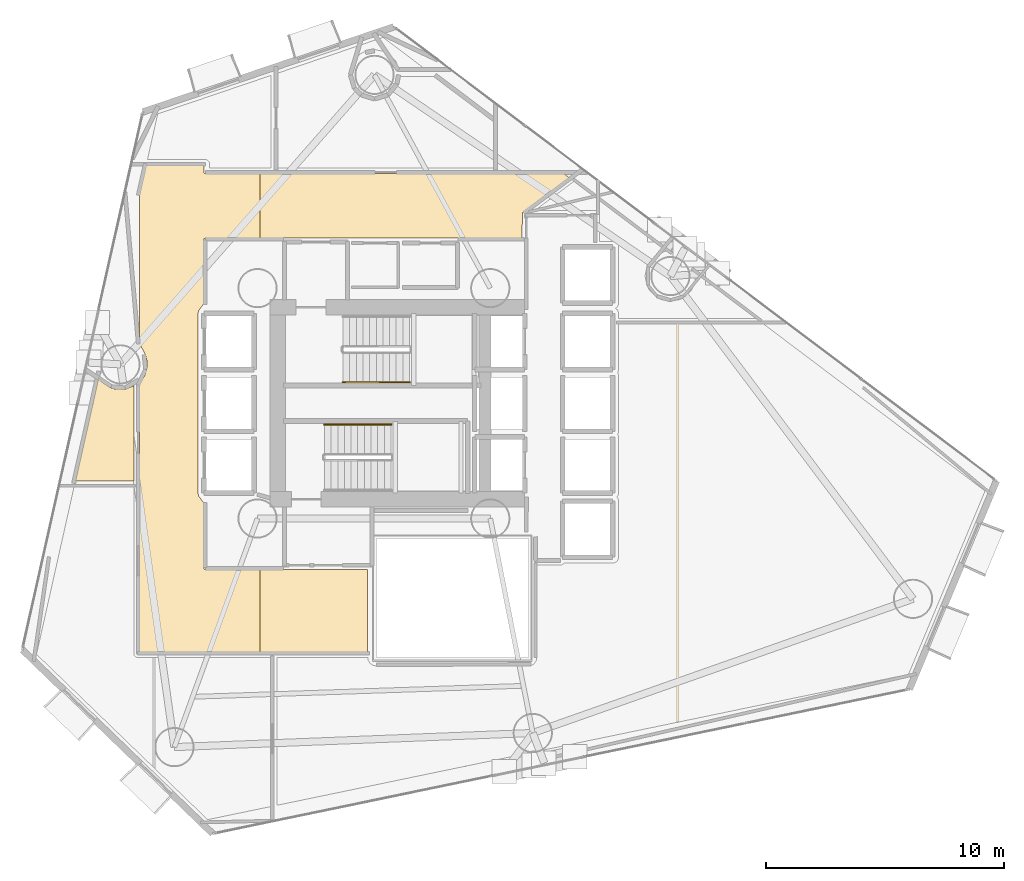
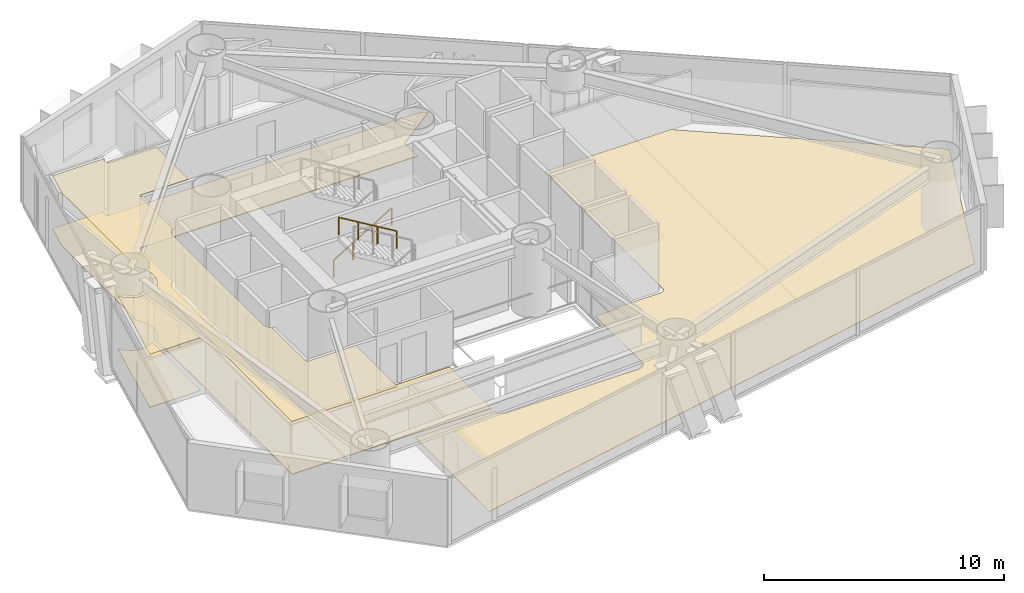
# One storey, part 20 of 22: 5 coverings, 2 railings.
"""IFC4 building model written with IfcOpenShell, lengths in metres."""

from ifc_helpers import new_model, si_unit, direction, frame, origin, origin_2d, place, context, subcontext, project, spatial, polyline, rectangle, outline, extrude, material, layer, layer_set, type_object, element, save


model = new_model("IFC4")

# Units and contexts
model_context = context("Model", 3, precision=1e-05, world=origin(), true_north=direction((0.0, 1.0)))
body_context = subcontext(model_context, "Body", "Model", "MODEL_VIEW")
ifc_project = project(units=[si_unit("LENGTHUNIT", "METRE"), si_unit("AREAUNIT", "SQUARE_METRE"), si_unit("VOLUMEUNIT", "CUBIC_METRE"), si_unit("PLANEANGLEUNIT", "RADIAN"), si_unit("MASSUNIT", "GRAM", prefix="KILO")], contexts=[model_context])

# Site, building, storey
site_placement = place(None, origin())
site = spatial("IfcSite", under=ifc_project, at=site_placement, CompositionType="ELEMENT")
building_placement = place(site_placement, origin())
building = spatial("IfcBuilding", under=site, at=building_placement, Name="Qianvela Tower", CompositionType="ELEMENT")
storey_placement = place(building_placement, frame((0.0, 0.0, 89.5)))
storey = spatial("IfcBuildingStorey", under=building, at=storey_placement, Name="L22", CompositionType="ELEMENT", Elevation=89.5)

# Coverings
ifc_material_1 = material(Name="Perforated Mineral Acoustic Ceiling Tile")
ifc_layer_1 = layer(ifc_material_1, 0.02490234375)
ifc_layer_set_1 = layer_set([ifc_layer_1], Name="Perforated Mineral Acoustic Ceiling Tile")
covering_type_1 = type_object("IfcCoveringType", Name="COV-CEIL-ACOUSTIC-25", PredefinedType="CEILING", material=ifc_layer_set_1)
covering_1_placement = place(storey_placement, frame((0.0, 0.0, 2.695068359375)))
element("IfcCovering", 1, at=covering_1_placement, inside=storey, type_object=covering_type_1, Name="L22 Acoustic Ceiling Bay 1 L22 Floor Corridor", PredefinedType="CEILING", context=body_context, shape_type="SweptSolid", body=[
    extrude(outline(polyline([(23.868408203125, 30.7705078125), (23.864990234375, 30.777587890625), (23.6298828125, 31.21728515625), (23.6298828125, 37.462158203125), (23.912109375, 38.719970703125), (26.340087890625, 38.719970703125), (26.340087890625, 38.449951171875), (26.34033203125, 38.442138671875), (26.341552734375, 38.434326171875), (26.343505859375, 38.4267578125), (26.34619140625, 38.41943359375), (26.349365234375, 38.412353515625), (26.353515625, 38.405517578125), (26.358154296875, 38.399169921875), (26.36328125, 38.393310546875), (26.369140625, 38.38818359375), (26.37548828125, 38.383544921875), (26.38232421875, 38.37939453125), (26.389404296875, 38.376220703125), (26.396728515625, 38.373291015625), (26.404296875, 38.37158203125), (26.412109375, 38.370361328125), (26.419921875, 38.3701171875), (28.7119140625, 38.3701171875), (28.7119140625, 35.659912109375), (26.419921875, 35.659912109375), (26.412109375, 35.65966796875), (26.404296875, 35.658447265625), (26.396728515625, 35.656494140625), (26.389404296875, 35.65380859375), (26.38232421875, 35.650634765625), (26.37548828125, 35.646484375), (26.369140625, 35.641845703125), (26.36328125, 35.63671875), (26.358154296875, 35.630859375), (26.353515625, 35.62451171875), (26.349365234375, 35.61767578125), (26.34619140625, 35.610595703125), (26.343505859375, 35.603271484375), (26.341552734375, 35.595703125), (26.34033203125, 35.587890625), (26.340087890625, 35.580078125), (26.340087890625, 32.89599609375), (26.139404296875, 32.62548828125), (26.135498046875, 32.61962890625), (26.132080078125, 32.61376953125), (26.12939453125, 32.607421875), (26.126953125, 32.60107421875), (26.103515625, 32.523193359375), (26.1015625, 32.515625), (26.100341796875, 32.5078125), (26.10009765625, 32.5), (26.10009765625, 24.89990234375), (26.100341796875, 24.89208984375), (26.1015625, 24.884521484375), (26.103515625, 24.876708984375), (26.126953125, 24.799072265625), (26.12939453125, 24.79248046875), (26.132080078125, 24.786376953125), (26.135498046875, 24.7802734375), (26.139404296875, 24.774658203125), (26.340087890625, 24.50390625), (26.340087890625, 21.780029296875), (26.34033203125, 21.772216796875), (26.341552734375, 21.764404296875), (26.343505859375, 21.7568359375), (26.34619140625, 21.74951171875), (26.349365234375, 21.7421875), (26.353515625, 21.735595703125), (26.358154296875, 21.729248046875), (26.36328125, 21.723388671875), (26.369140625, 21.71826171875), (26.37548828125, 21.71337890625), (26.38232421875, 21.70947265625), (26.389404296875, 21.7060546875), (26.396728515625, 21.703369140625), (26.404296875, 21.701416015625), (26.412109375, 21.700439453125), (26.419921875, 21.699951171875), (28.7119140625, 21.699951171875), (28.7119140625, 18.22998046875), (23.6298828125, 18.22998046875), (23.6298828125, 29.462646484375), (23.864990234375, 29.90234375), (23.868408203125, 29.909423828125), (23.87109375, 29.9169921875), (23.930419921875, 30.11279296875), (23.932373046875, 30.12060546875), (23.93359375, 30.12841796875), (23.95361328125, 30.332275390625), (23.9541015625, 30.340087890625), (23.95361328125, 30.347900390625), (23.93359375, 30.5517578125), (23.932373046875, 30.5595703125), (23.930419921875, 30.567138671875), (23.87109375, 30.76318359375), (23.868408203125, 30.7705078125)])), origin(), (0.0, 0.0, 1.0), 0.02490234375),
])
covering_2_placement = place(storey_placement, frame((0.0, 0.0, 2.695068359375)))
element("IfcCovering", 2, at=covering_2_placement, inside=storey, type_object=covering_type_1, Name="L22 Acoustic Ceiling Social Galley Kitchen L22-06", PredefinedType="CEILING", context=body_context, shape_type="SweptSolid", body=[
    extrude(outline(polyline([(23.390380859375, 29.440185546875), (23.389892578125, 25.422119140625), (20.9296875, 25.422119140625), (21.9140625, 29.81103515625), (21.93701171875, 29.760009765625), (21.940185546875, 29.753662109375), (21.94384765625, 29.747802734375), (21.9482421875, 29.741943359375), (22.07080078125, 29.5927734375), (22.075927734375, 29.5869140625), (22.081787109375, 29.581787109375), (22.088134765625, 29.576904296875), (22.40771484375, 29.363525390625), (22.414306640625, 29.359375), (22.42138671875, 29.356201171875), (22.4287109375, 29.353515625), (22.613525390625, 29.29736328125), (22.62109375, 29.29541015625), (22.62890625, 29.294189453125), (22.63671875, 29.2939453125), (23.021240234375, 29.2939453125), (23.029052734375, 29.294189453125), (23.036865234375, 29.29541015625), (23.04443359375, 29.29736328125), (23.0517578125, 29.300048828125), (23.390380859375, 29.440185546875)])), origin(), (0.0, 0.0, 1.0), 0.02490234375),
])
ifc_material_2 = material(Name="Engineered Acoustic Oak Timber Flooring", Category="wood")
ifc_layer_2 = layer(ifc_material_2, 0.02001953125)
ifc_layer_set_2 = layer_set([ifc_layer_2], Name="Engineered Acoustic Oak Timber Flooring")
covering_type_2 = type_object("IfcCoveringType", Name="COV-FLOOR-OAK-20", PredefinedType="FLOORING", material=ifc_layer_set_2)
covering_3_placement = place(storey_placement, origin())
element("IfcCovering", 3, at=covering_3_placement, inside=storey, type_object=covering_type_2, Name="L22 Finish Flooring Academic Cellular Office L22-02", PredefinedType="FLOORING", context=body_context, shape_type="SweptSolid", body=[
    extrude(outline(polyline([(33.24609375, 17.989990234375), (33.252197265625, 17.912353515625), (33.25341796875, 17.904296875), (33.25537109375, 17.896240234375), (33.258056640625, 17.888427734375), (33.261474609375, 17.881103515625), (33.31298828125, 17.78466796875), (33.31689453125, 17.77783203125), (33.32177734375, 17.771484375), (33.326904296875, 17.765869140625), (33.332763671875, 17.760498046875), (33.417236328125, 17.691162109375), (33.42431640625, 17.68603515625), (33.431884765625, 17.681640625), (33.440185546875, 17.677978515625), (33.448486328125, 17.675537109375), (33.58056640625, 17.642333984375), (33.5869140625, 17.64111328125), (33.593505859375, 17.640380859375), (33.60009765625, 17.639892578125), (40.0, 17.639892578125), (40.0078125, 17.640380859375), (40.015625, 17.6416015625), (40.122802734375, 17.662841796875), (40.13037109375, 17.664794921875), (40.1376953125, 17.66748046875), (40.14501953125, 17.6708984375), (40.151611328125, 17.6748046875), (40.242431640625, 17.735595703125), (40.248779296875, 17.740234375), (40.254638671875, 17.745361328125), (40.259765625, 17.751220703125), (40.264404296875, 17.757568359375), (40.3251953125, 17.848388671875), (40.3291015625, 17.85498046875), (40.33251953125, 17.8623046875), (40.335205078125, 17.86962890625), (40.337158203125, 17.877197265625), (40.3583984375, 17.984375), (40.359619140625, 17.9921875), (40.360107421875, 18.0), (40.360107421875, 21.889892578125), (41.367919921875, 21.890380859375), (41.375732421875, 21.890869140625), (41.383544921875, 21.891845703125), (41.39111328125, 21.893798828125), (41.3984375, 21.896484375), (41.405517578125, 21.89990234375), (41.45947265625, 21.9287109375), (41.46630859375, 21.932861328125), (41.472900390625, 21.9375), (41.478759765625, 21.943115234375), (41.48388671875, 21.948974609375), (41.48876953125, 21.955322265625), (41.492919921875, 21.96240234375), (41.49609375, 21.969482421875), (41.498779296875, 21.97705078125), (41.49951171875, 21.97998046875), (43.59375, 21.980712890625), (43.6015625, 21.981201171875), (43.609375, 21.982177734375), (43.616943359375, 21.984130859375), (43.624267578125, 21.98681640625), (43.699462890625, 22.017822265625), (43.70703125, 22.021484375), (43.71435546875, 22.02587890625), (43.72119140625, 22.03125), (43.727294921875, 22.037109375), (43.732666015625, 22.043701171875), (43.7373046875, 22.05078125), (43.785888671875, 22.131591796875), (43.7900390625, 22.13916015625), (43.793212890625, 22.147216796875), (43.79541015625, 22.155517578125), (43.796875, 22.1640625), (43.79736328125, 22.172607421875), (43.800048828125, 24.599853515625), (43.7998046875, 24.606689453125), (43.798828125, 24.613525390625), (43.79736328125, 24.620361328125), (43.79541015625, 24.626953125), (43.763427734375, 24.7158203125), (43.760498046875, 24.722900390625), (43.7568359375, 24.72998046875), (43.75244140625, 24.736572265625), (43.74755859375, 24.742431640625), (43.741943359375, 24.748046875), (43.73583984375, 24.753173828125), (43.735107421875, 24.753662109375), (43.7783203125, 24.811767578125), (43.782958984375, 24.81884765625), (43.786865234375, 24.826416015625), (43.789794921875, 24.834228515625), (43.7919921875, 24.84228515625), (43.79345703125, 24.8505859375), (43.7939453125, 24.859130859375), (43.800048828125, 27.2998046875), (43.799560546875, 27.307861328125), (43.79833984375, 27.315673828125), (43.79638671875, 27.323486328125), (43.793701171875, 27.3310546875), (43.7646484375, 27.39990234375), (43.793701171875, 27.468994140625), (43.79638671875, 27.476318359375), (43.79833984375, 27.484130859375), (43.799560546875, 27.491943359375), (43.800048828125, 27.5), (43.800048828125, 29.89990234375), (43.799560546875, 29.907958984375), (43.79833984375, 29.915771484375), (43.79638671875, 29.923583984375), (43.793701171875, 29.93115234375), (43.7646484375, 30.0), (43.793701171875, 30.06884765625), (43.79638671875, 30.076416015625), (43.79833984375, 30.084228515625), (43.799560546875, 30.092041015625), (43.800048828125, 30.10009765625), (43.800048828125, 32.05810546875), (49.87939453125, 32.05810546875), (59.23291015625, 25.011474609375), (56.00830078125, 17.288330078125), (29.422119140625, 11.7763671875), (29.422119140625, 17.989990234375), (33.24609375, 17.989990234375)])), origin(), (0.0, 0.0, 1.0), 0.02001953125),
])
covering_4_placement = place(storey_placement, origin())
element("IfcCovering", 4, at=covering_4_placement, inside=storey, type_object=covering_type_2, Name="L22 Finish Flooring Social Galley Kitchen L22-06", PredefinedType="FLOORING", context=body_context, shape_type="SweptSolid", body=[
    extrude(outline(polyline([(23.390380859375, 29.440185546875), (23.389892578125, 25.422119140625), (20.9296875, 25.422119140625), (21.9140625, 29.81103515625), (21.93701171875, 29.760009765625), (21.940185546875, 29.753662109375), (21.94384765625, 29.747802734375), (21.9482421875, 29.741943359375), (22.07080078125, 29.5927734375), (22.075927734375, 29.5869140625), (22.081787109375, 29.581787109375), (22.088134765625, 29.576904296875), (22.40771484375, 29.363525390625), (22.414306640625, 29.359375), (22.42138671875, 29.356201171875), (22.4287109375, 29.353515625), (22.613525390625, 29.29736328125), (22.62109375, 29.29541015625), (22.62890625, 29.294189453125), (22.63671875, 29.2939453125), (23.021240234375, 29.2939453125), (23.029052734375, 29.294189453125), (23.036865234375, 29.29541015625), (23.04443359375, 29.29736328125), (23.0517578125, 29.300048828125), (23.390380859375, 29.440185546875)])), origin(), (0.0, 0.0, 1.0), 0.02001953125),
])
ifc_material_3 = material(Name="Honed Stone Terrazzo Flooring", Category="masonry")
ifc_layer_3 = layer(ifc_material_3, 0.030029296875)
ifc_layer_set_3 = layer_set([ifc_layer_3], Name="Honed Stone Terrazzo Flooring")
covering_type_3 = type_object("IfcCoveringType", Name="COV-FLOOR-TERRAZZO-30", PredefinedType="FLOORING", material=ifc_layer_set_3)
covering_5_placement = place(storey_placement, origin())
element("IfcCovering", 5, at=covering_5_placement, inside=storey, type_object=covering_type_3, Name="L22 Finish Flooring L22 Floor Corridor", PredefinedType="FLOORING", context=body_context, shape_type="SweptSolid", body=[
    extrude(outline(polyline([(23.87109375, 30.76318359375), (23.868408203125, 30.7705078125), (23.864990234375, 30.777587890625), (23.6298828125, 31.21728515625), (23.6298828125, 37.462158203125), (23.912109375, 38.719970703125), (26.340087890625, 38.719970703125), (26.340087890625, 38.449951171875), (26.34033203125, 38.442138671875), (26.341552734375, 38.434326171875), (26.343505859375, 38.4267578125), (26.34619140625, 38.41943359375), (26.349365234375, 38.412353515625), (26.353515625, 38.405517578125), (26.358154296875, 38.399169921875), (26.36328125, 38.393310546875), (26.369140625, 38.38818359375), (26.37548828125, 38.383544921875), (26.38232421875, 38.37939453125), (26.389404296875, 38.376220703125), (26.396728515625, 38.373291015625), (26.404296875, 38.37158203125), (26.412109375, 38.370361328125), (26.419921875, 38.3701171875), (41.501220703125, 38.3701171875), (41.729248046875, 38.197998046875), (39.784423828125, 36.753662109375), (39.778076171875, 36.748291015625), (39.772216796875, 36.742431640625), (39.76708984375, 36.736083984375), (39.7626953125, 36.729248046875), (39.759033203125, 36.721923828125), (39.756103515625, 36.71435546875), (39.75390625, 36.70654296875), (39.752685546875, 36.698486328125), (39.752197265625, 36.690185546875), (39.739013671875, 35.659912109375), (26.419921875, 35.659912109375), (26.412109375, 35.65966796875), (26.404296875, 35.658447265625), (26.396728515625, 35.656494140625), (26.389404296875, 35.65380859375), (26.38232421875, 35.650634765625), (26.37548828125, 35.646484375), (26.369140625, 35.641845703125), (26.36328125, 35.63671875), (26.358154296875, 35.630859375), (26.353515625, 35.62451171875), (26.349365234375, 35.61767578125), (26.34619140625, 35.610595703125), (26.343505859375, 35.603271484375), (26.341552734375, 35.595703125), (26.34033203125, 35.587890625), (26.340087890625, 35.580078125), (26.340087890625, 32.89599609375), (26.139404296875, 32.62548828125), (26.135498046875, 32.61962890625), (26.132080078125, 32.61376953125), (26.12939453125, 32.607421875), (26.126953125, 32.60107421875), (26.103515625, 32.523193359375), (26.1015625, 32.515625), (26.100341796875, 32.5078125), (26.10009765625, 32.5), (26.10009765625, 24.89990234375), (26.100341796875, 24.89208984375), (26.1015625, 24.884521484375), (26.103515625, 24.876708984375), (26.126953125, 24.799072265625), (26.12939453125, 24.79248046875), (26.132080078125, 24.786376953125), (26.135498046875, 24.7802734375), (26.139404296875, 24.774658203125), (26.340087890625, 24.50390625), (26.340087890625, 21.780029296875), (26.34033203125, 21.772216796875), (26.341552734375, 21.764404296875), (26.343505859375, 21.7568359375), (26.34619140625, 21.74951171875), (26.349365234375, 21.7421875), (26.353515625, 21.735595703125), (26.358154296875, 21.729248046875), (26.36328125, 21.723388671875), (26.369140625, 21.71826171875), (26.37548828125, 21.71337890625), (26.38232421875, 21.70947265625), (26.389404296875, 21.7060546875), (26.396728515625, 21.703369140625), (26.404296875, 21.701416015625), (26.412109375, 21.700439453125), (26.419921875, 21.699951171875), (33.239990234375, 21.699951171875), (33.239990234375, 18.22998046875), (23.6298828125, 18.22998046875), (23.6298828125, 29.462646484375), (23.864990234375, 29.90234375), (23.868408203125, 29.909423828125), (23.87109375, 29.9169921875), (23.930419921875, 30.11279296875), (23.932373046875, 30.12060546875), (23.93359375, 30.12841796875), (23.95361328125, 30.332275390625), (23.9541015625, 30.340087890625), (23.95361328125, 30.347900390625), (23.93359375, 30.5517578125), (23.932373046875, 30.5595703125), (23.930419921875, 30.567138671875), (23.87109375, 30.76318359375)])), origin(), (0.0, 0.0, 1.0), 0.030029296875),
])

# Railings
ifc_material_4 = material(Name="Brushed Stainless Steel 304", Category="steel")
railing_type = type_object("IfcRailingType", Name="RL-STAIR-HANDRAIL-900", PredefinedType="HANDRAIL", material=ifc_material_4)
railing_1_placement = place(storey_placement, frame((32.199951171875, 29.590087890625, 0.168212890625)))
element("IfcRailing", 6, at=railing_1_placement, inside=storey, type_object=railing_type, Name="L22 ST-1 stair handrail 1", PredefinedType="HANDRAIL", context=body_context, shape_type="SweptSolid", body=[
    extrude(rectangle(XDim=0.050048828125, YDim=0.0400390625, at=origin_2d()), frame((0.0, 0.0, 0.8798828125), z_axis=(0.857242210791, 0.0, 0.514913383045), x_axis=(0.0, 1.0, 0.0)), (0.0, 0.0, 1.0), 3.266357421875),
    extrude(rectangle(XDim=0.050048828125, YDim=0.050048828125, at=origin_2d()), origin(), (0.0, 0.0, 1.0), 0.85986328125),
    extrude(rectangle(XDim=0.050048828125, YDim=0.050048828125, at=origin_2d()), frame((0.933349609375, 0.0, 0.560546875)), (0.0, 0.0, 1.0), 0.85986328125),
    extrude(rectangle(XDim=0.050048828125, YDim=0.050048828125, at=origin_2d()), frame((1.86669921875, 0.0, 1.121337890625)), (0.0, 0.0, 1.0), 0.85986328125),
    extrude(rectangle(XDim=0.050048828125, YDim=0.050048828125, at=origin_2d()), frame((2.800048828125, 0.0, 1.681884765625)), (0.0, 0.0, 1.0), 0.85986328125),
])
railing_2_placement = place(storey_placement, frame((34.219970703125, 27.81005859375, 2.01806640625)))
element("IfcRailing", 7, at=railing_2_placement, inside=storey, type_object=railing_type, Name="L22 ST-2 stair handrail 2", PredefinedType="HANDRAIL", context=body_context, shape_type="SweptSolid", body=[
    extrude(rectangle(XDim=0.050048828125, YDim=0.0400390625, at=origin_2d()), frame((0.0, 0.0, 0.8798828125), z_axis=(-0.857242210791, 0.0, 0.514913383045), x_axis=(0.0, -1.0, 0.0)), (0.0, 0.0, 1.0), 3.266357421875),
    extrude(rectangle(XDim=0.050048828125, YDim=0.050048828125, at=origin_2d()), origin(), (0.0, 0.0, 1.0), 0.85986328125),
    extrude(rectangle(XDim=0.050048828125, YDim=0.050048828125, at=origin_2d()), frame((-0.933349609375, 0.0, 0.560546875)), (0.0, 0.0, 1.0), 0.85986328125),
    extrude(rectangle(XDim=0.050048828125, YDim=0.050048828125, at=origin_2d()), frame((-1.86669921875, 0.0, 1.121337890625)), (0.0, 0.0, 1.0), 0.85986328125),
    extrude(rectangle(XDim=0.050048828125, YDim=0.050048828125, at=origin_2d()), frame((-2.800048828125, 0.0, 1.681884765625)), (0.0, 0.0, 1.0), 0.85986328125),
])

save(model, "model.ifc")
